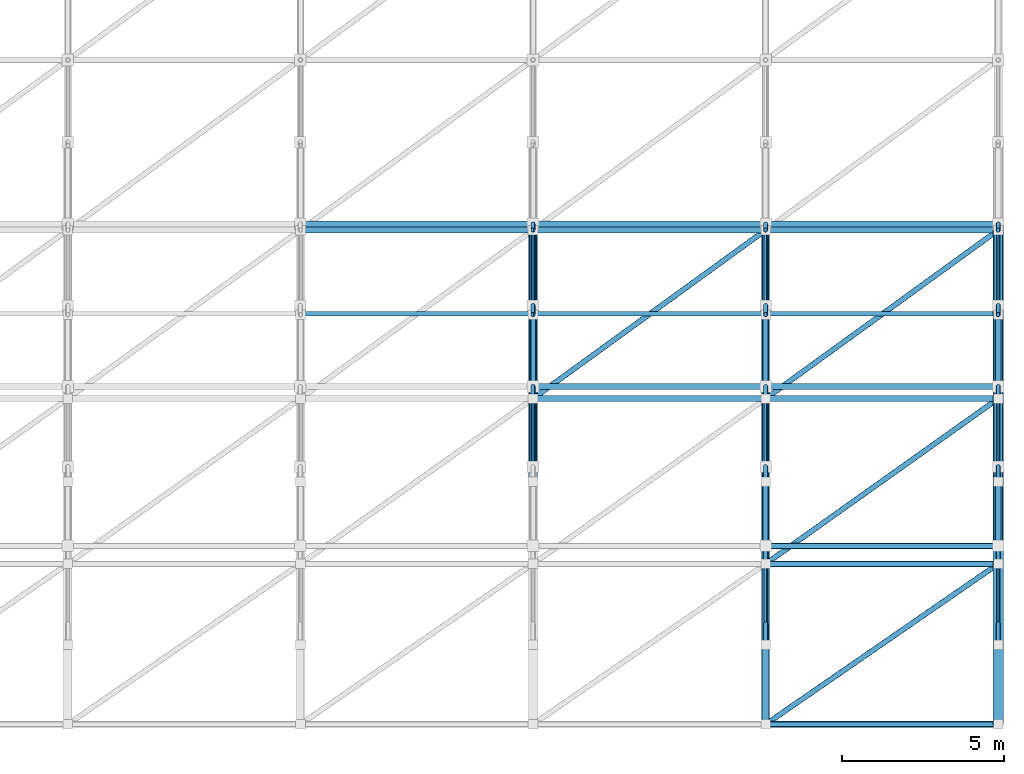
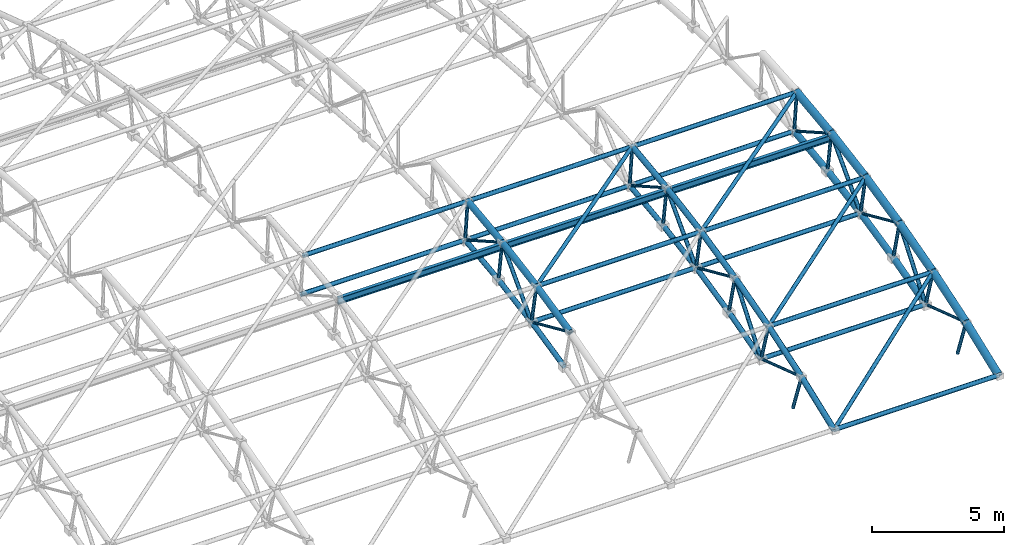
# One storey, part 18 of 41: 74 members.
"""IFC4 building model written with IfcOpenShell, lengths in metres."""

from ifc_helpers import new_model, si_unit, direction, frame, origin, origin_2d, place, context, subcontext, project, spatial, hollow_circle, i_section, extrude, material, material_profile, profile_set, type_object, element, save


model = new_model("IFC4")

# Units and contexts
model_context = context("Model", 3, precision=1e-05, world=origin(), true_north=direction((0.0, 1.0)))
body_context = subcontext(model_context, "Body", "Model", "MODEL_VIEW")
ifc_project = project(units=[si_unit("LENGTHUNIT", "METRE"), si_unit("AREAUNIT", "SQUARE_METRE"), si_unit("VOLUMEUNIT", "CUBIC_METRE"), si_unit("PLANEANGLEUNIT", "RADIAN"), si_unit("MASSUNIT", "GRAM", prefix="KILO")], contexts=[model_context])

# Site, building, storey
site_placement = place(None, origin())
site = spatial("IfcSite", under=ifc_project, at=site_placement, CompositionType="ELEMENT")
building_placement = place(site_placement, origin())
building = spatial("IfcBuilding", under=site, at=building_placement, Name="Malvenik Polytechnic", CompositionType="ELEMENT")
storey_placement = place(building_placement, frame((0.0, 0.0, 17.699951171875)))
storey = spatial("IfcBuildingStorey", under=building, at=storey_placement, Name="L04", CompositionType="ELEMENT", Elevation=17.699951171875)

# Members
ifc_material_1 = material(Name="Steel S355J2H", Category="steel")
ifc_material_profile_1 = material_profile(ifc_material_1, hollow_circle(Radius=0.136474609375, WallThickness=0.010009765625, at=origin_2d()), Name="CHS 273.0x10.0")
ifc_profile_set_1 = profile_set([ifc_material_profile_1], Name="Steel S355J2H")
member_type_1 = type_object("IfcMemberType", Name="STR-MEM-SFB-01", PredefinedType="CHORD", material=ifc_profile_set_1)
for number, where, z_axis, x_axis, name in (
    (1, (184.800048828125, 49.7607421875, 0.181396484375), (0.0, 0.96402666338, 0.265805553539), (-1.0, 0.0, 0.0), "Space-Frame Tube SFB-01 STR-SF-BC-0692"),
    (2, (184.800048828125, 52.21240234375, 0.857177734375), (0.0, 0.975880203116, 0.21830673184), (-1.0, 0.0, 0.0), "Space-Frame Tube SFB-01 STR-SF-BC-0694"),
):
    element("IfcMember", number, at=place(storey_placement, frame(where, z_axis=z_axis, x_axis=x_axis)), inside=storey, type_object=member_type_1, Name=name, PredefinedType="CHORD", context=body_context, shape_type="SweptSolid", body=[
        extrude(hollow_circle(Radius=0.136474609375, WallThickness=0.010009765625, at=origin_2d()), origin(), (0.0, 0.0, 1.0), 2.53515625),
    ])
member_1_placement = place(storey_placement, frame((184.800048828125, 54.6943359375, 1.412353515625), z_axis=(0.0, 0.985387199481, 0.170329290198), x_axis=(-1.0, 0.0, 0.0)))
element("IfcMember", 3, at=member_1_placement, inside=storey, type_object=member_type_1, Name="Space-Frame Tube SFB-01 STR-SF-BC-0696", PredefinedType="CHORD", context=body_context, shape_type="SweptSolid", body=[
    extrude(hollow_circle(Radius=0.136474609375, WallThickness=0.010009765625, at=origin_2d()), origin(), (0.0, 0.0, 1.0), 2.53564453125),
])
member_2_placement = place(storey_placement, frame((184.800048828125, 57.20068359375, 1.845458984375), z_axis=(0.0, 0.992529141181, 0.122007802646), x_axis=(-1.0, 0.0, 0.0)))
element("IfcMember", 4, at=member_2_placement, inside=storey, type_object=member_type_1, Name="Space-Frame Tube SFB-01 STR-SF-BC-0698", PredefinedType="CHORD", context=body_context, shape_type="SweptSolid", body=[
    extrude(hollow_circle(Radius=0.136474609375, WallThickness=0.010009765625, at=origin_2d()), origin(), (0.0, 0.0, 1.0), 2.535400390625),
])
ifc_material_profile_2 = material_profile(ifc_material_1, hollow_circle(Radius=0.109619140625, WallThickness=0.010009765625, at=origin_2d()), Name="CHS 219.1x10.0")
ifc_profile_set_2 = profile_set([ifc_material_profile_2], Name="Steel S355J2H")
member_type_2 = type_object("IfcMemberType", Name="STR-MEM-SFB-02", PredefinedType="CHORD", material=ifc_profile_set_2)
member_3_placement = place(storey_placement, frame((170.39990234375, 52.21240234375, 0.857177734375), z_axis=(0.0, 0.975880203116, 0.21830673184), x_axis=(-1.0, 0.0, 0.0)))
element("IfcMember", 5, at=member_3_placement, inside=storey, type_object=member_type_2, Name="Space-Frame Tube SFB-02 STR-SF-BC-0500", PredefinedType="CHORD", context=body_context, shape_type="SweptSolid", body=[
    extrude(hollow_circle(Radius=0.109619140625, WallThickness=0.010009765625, at=origin_2d()), origin(), (0.0, 0.0, 1.0), 2.53515625),
])
member_4_placement = place(storey_placement, frame((170.39990234375, 54.6943359375, 1.412353515625), z_axis=(0.0, 0.985387199481, 0.170329290198), x_axis=(-1.0, 0.0, 0.0)))
element("IfcMember", 6, at=member_4_placement, inside=storey, type_object=member_type_2, Name="Space-Frame Tube SFB-02 STR-SF-BC-0502", PredefinedType="CHORD", context=body_context, shape_type="SweptSolid", body=[
    extrude(hollow_circle(Radius=0.109619140625, WallThickness=0.010009765625, at=origin_2d()), origin(), (0.0, 0.0, 1.0), 2.53564453125),
])
member_5_placement = place(storey_placement, frame((170.39990234375, 57.20068359375, 1.845458984375), z_axis=(0.0, 0.992529141181, 0.122007802646), x_axis=(-1.0, 0.0, 0.0)))
element("IfcMember", 7, at=member_5_placement, inside=storey, type_object=member_type_2, Name="Space-Frame Tube SFB-02 STR-SF-BC-0504", PredefinedType="CHORD", context=body_context, shape_type="SweptSolid", body=[
    extrude(hollow_circle(Radius=0.109619140625, WallThickness=0.010009765625, at=origin_2d()), origin(), (0.0, 0.0, 1.0), 2.535400390625),
])
ifc_material_profile_3 = material_profile(ifc_material_1, hollow_circle(Radius=0.109619140625, WallThickness=0.008056640625, at=origin_2d()), Name="CHS 219.1x8.0")
ifc_profile_set_3 = profile_set([ifc_material_profile_3], Name="Steel S355J2H")
member_type_3 = type_object("IfcMemberType", Name="STR-MEM-SFB-03", PredefinedType="CHORD", material=ifc_profile_set_3)
for number, where, z_axis, x_axis, name in (
    (8, (177.60009765625, 49.7607421875, 0.181396484375), (0.0, 0.96402666338, 0.265805553539), (-1.0, 0.0, 0.0), "Space-Frame Tube SFB-03 STR-SF-BC-0595"),
    (9, (177.60009765625, 52.21240234375, 0.857177734375), (0.0, 0.975880203116, 0.21830673184), (-1.0, 0.0, 0.0), "Space-Frame Tube SFB-03 STR-SF-BC-0597"),
):
    element("IfcMember", number, at=place(storey_placement, frame(where, z_axis=z_axis, x_axis=x_axis)), inside=storey, type_object=member_type_3, Name=name, PredefinedType="CHORD", context=body_context, shape_type="SweptSolid", body=[
        extrude(hollow_circle(Radius=0.109619140625, WallThickness=0.008056640625, at=origin_2d()), origin(), (0.0, 0.0, 1.0), 2.53515625),
    ])
member_6_placement = place(storey_placement, frame((177.60009765625, 54.6943359375, 1.412353515625), z_axis=(0.0, 0.985387199481, 0.170329290198), x_axis=(-1.0, 0.0, 0.0)))
element("IfcMember", 10, at=member_6_placement, inside=storey, type_object=member_type_3, Name="Space-Frame Tube SFB-03 STR-SF-BC-0599", PredefinedType="CHORD", context=body_context, shape_type="SweptSolid", body=[
    extrude(hollow_circle(Radius=0.109619140625, WallThickness=0.008056640625, at=origin_2d()), origin(), (0.0, 0.0, 1.0), 2.53564453125),
])
member_7_placement = place(storey_placement, frame((177.60009765625, 57.20068359375, 1.845458984375), z_axis=(0.0, 0.992529141181, 0.122007802646), x_axis=(-1.0, 0.0, 0.0)))
element("IfcMember", 11, at=member_7_placement, inside=storey, type_object=member_type_3, Name="Space-Frame Tube SFB-03 STR-SF-BC-0601", PredefinedType="CHORD", context=body_context, shape_type="SweptSolid", body=[
    extrude(hollow_circle(Radius=0.109619140625, WallThickness=0.008056640625, at=origin_2d()), origin(), (0.0, 0.0, 1.0), 2.535400390625),
])
ifc_material_profile_4 = material_profile(ifc_material_1, hollow_circle(Radius=0.084228515625, WallThickness=0.00634765625, at=origin_2d()), Name="CHS 168.3x6.3")
ifc_profile_set_4 = profile_set([ifc_material_profile_4], Name="Steel S355J2H")
member_type_4 = type_object("IfcMemberType", Name="STR-MEM-SFD-02", PredefinedType="BRACE", material=ifc_profile_set_4)
for number, where, z_axis, x_axis, name in (
    (12, (170.39990234375, 54.693359375, 1.41455078125), (0.0, 0.689369138423, 0.724410236668), (-1.0, 0.0, 0.0), "Space-Frame Tube SFD-02 STR-SF-AD-0567"),
    (13, (177.60009765625, 49.75927734375, 0.18359375), (0.0, 0.615336380621, 0.788264637469), (-1.0, 0.0, 0.0), "Space-Frame Tube SFD-02 STR-SF-AD-0662"),
    (14, (177.60009765625, 54.693359375, 1.41455078125), (0.0, 0.689369138423, 0.724410236668), (-1.0, 0.0, 0.0), "Space-Frame Tube SFD-02 STR-SF-AD-0664"),
    (15, (184.800048828125, 49.75927734375, 0.18359375), (0.0, 0.615336380621, 0.788264637469), (-1.0, 0.0, 0.0), "Space-Frame Tube SFD-02 STR-SF-AD-0759"),
    (16, (184.800048828125, 54.693359375, 1.41455078125), (0.0, 0.689369138423, 0.724410236668), (-1.0, 0.0, 0.0), "Space-Frame Tube SFD-02 STR-SF-AD-0761"),
):
    element("IfcMember", number, at=place(storey_placement, frame(where, z_axis=z_axis, x_axis=x_axis)), inside=storey, type_object=member_type_4, Name=name, PredefinedType="BRACE", context=body_context, shape_type="SweptSolid", body=[
        extrude(hollow_circle(Radius=0.084228515625, WallThickness=0.00634765625, at=origin_2d()), origin(), (0.0, 0.0, 1.0), 3.218994140625),
    ])
member_8_placement = place(storey_placement, frame((170.4033203125, 54.318603515625, 3.30029296875), z_axis=(0.806743307395, 0.584549377871, 0.086413313811), x_axis=(-0.586744168683, 0.809772363394, 0.0)))
element("IfcMember", 17, at=member_8_placement, inside=storey, type_object=member_type_4, Name="Space-Frame Tube SFD-02 STR-SF-SD-1017", PredefinedType="BRACE", context=body_context, shape_type="SweptSolid", body=[
    extrude(hollow_circle(Radius=0.084228515625, WallThickness=0.00634765625, at=origin_2d()), origin(), (0.0, 0.0, 1.0), 8.91650390625),
])
member_9_placement = place(storey_placement, frame((177.603271484375, 44.23486328125, 0.25341796875), z_axis=(0.806759679952, 0.556586145395, 0.19837006215), x_axis=(-0.567871341818, 0.823117330119, 0.0)))
element("IfcMember", 18, at=member_9_placement, inside=storey, type_object=member_type_4, Name="Space-Frame Tube SFD-02 STR-SF-SD-1057", PredefinedType="BRACE", context=body_context, shape_type="SweptSolid", body=[
    extrude(hollow_circle(Radius=0.084228515625, WallThickness=0.00634765625, at=origin_2d()), origin(), (0.0, 0.0, 1.0), 8.916748046875),
])
member_10_placement = place(storey_placement, frame((177.603271484375, 49.2021484375, 2.023681640625), z_axis=(0.806764863232, 0.573291793869, 0.143062834223), x_axis=(-0.57925018849, 0.81514981392, 0.0)))
element("IfcMember", 19, at=member_10_placement, inside=storey, type_object=member_type_4, Name="Space-Frame Tube SFD-02 STR-SF-SD-1058", PredefinedType="BRACE", context=body_context, shape_type="SweptSolid", body=[
    extrude(hollow_circle(Radius=0.084228515625, WallThickness=0.00634765625, at=origin_2d()), origin(), (0.0, 0.0, 1.0), 8.91650390625),
])
member_11_placement = place(storey_placement, frame((177.603271484375, 54.318603515625, 3.30029296875), z_axis=(0.806752867448, 0.58453646588, 0.086411405045), x_axis=(-0.586731110708, 0.80978182477, 0.0)))
element("IfcMember", 20, at=member_11_placement, inside=storey, type_object=member_type_4, Name="Space-Frame Tube SFD-02 STR-SF-SD-1059", PredefinedType="BRACE", context=body_context, shape_type="SweptSolid", body=[
    extrude(hollow_circle(Radius=0.084228515625, WallThickness=0.00634765625, at=origin_2d()), origin(), (0.0, 0.0, 1.0), 8.916748046875),
])
ifc_material_profile_5 = material_profile(ifc_material_1, hollow_circle(Radius=0.06982421875, WallThickness=0.00634765625, at=origin_2d()), Name="CHS 139.7x6.3")
ifc_profile_set_5 = profile_set([ifc_material_profile_5], Name="Steel S355J2H")
member_type_5 = type_object("IfcMemberType", Name="STR-MEM-SFD-03", PredefinedType="BRACE", material=ifc_profile_set_5)
member_12_placement = place(storey_placement, frame((170.39990234375, 54.689697265625, 1.41552734375), z_axis=(0.0, -0.194328084871, 0.980936590933), x_axis=(1.0, 0.0, 0.0)))
element("IfcMember", 21, at=member_12_placement, inside=storey, type_object=member_type_5, Name="Space-Frame Tube SFD-03 STR-SF-WB-0542", PredefinedType="BRACE", context=body_context, shape_type="SweptSolid", body=[
    extrude(hollow_circle(Radius=0.06982421875, WallThickness=0.00634765625, at=origin_2d()), origin(), (0.0, 0.0, 1.0), 1.917236328125),
])
member_13_placement = place(storey_placement, frame((170.39990234375, 57.196044921875, 1.848876953125), z_axis=(0.0, -0.146197883622, 0.989255365831), x_axis=(1.0, 0.0, 0.0)))
element("IfcMember", 22, at=member_13_placement, inside=storey, type_object=member_type_5, Name="Space-Frame Tube SFD-03 STR-SF-WB-0543", PredefinedType="BRACE", context=body_context, shape_type="SweptSolid", body=[
    extrude(hollow_circle(Radius=0.06982421875, WallThickness=0.00634765625, at=origin_2d()), origin(), (0.0, 0.0, 1.0), 1.9169921875),
])
member_14_placement = place(storey_placement, frame((170.39990234375, 59.720703125, 2.1591796875), z_axis=(0.0, -0.09767529924, 0.995218335803), x_axis=(1.0, 0.0, 0.0)))
element("IfcMember", 23, at=member_14_placement, inside=storey, type_object=member_type_5, Name="Space-Frame Tube SFD-03 STR-SF-WB-0544", PredefinedType="BRACE", context=body_context, shape_type="SweptSolid", body=[
    extrude(hollow_circle(Radius=0.06982421875, WallThickness=0.00634765625, at=origin_2d()), origin(), (0.0, 0.0, 1.0), 1.917236328125),
])
member_15_placement = place(storey_placement, frame((177.60009765625, 47.339599609375, -0.61083984375), z_axis=(0.0, -0.335836148318, 0.941920422054), x_axis=(1.0, 0.0, 0.0)))
element("IfcMember", 24, at=member_15_placement, inside=storey, type_object=member_type_5, Name="Space-Frame Tube SFD-03 STR-SF-WB-0636", PredefinedType="BRACE", context=body_context, shape_type="SweptSolid", body=[
    extrude(hollow_circle(Radius=0.06982421875, WallThickness=0.00634765625, at=origin_2d()), origin(), (0.0, 0.0, 1.0), 1.9169921875),
])
member_16_placement = place(storey_placement, frame((177.60009765625, 49.755615234375, 0.18408203125), z_axis=(0.0, -0.289204975311, 0.957267194808), x_axis=(1.0, 0.0, 0.0)))
element("IfcMember", 25, at=member_16_placement, inside=storey, type_object=member_type_5, Name="Space-Frame Tube SFD-03 STR-SF-WB-0637", PredefinedType="BRACE", context=body_context, shape_type="SweptSolid", body=[
    extrude(hollow_circle(Radius=0.06982421875, WallThickness=0.00634765625, at=origin_2d()), origin(), (0.0, 0.0, 1.0), 1.917236328125),
])
member_17_placement = place(storey_placement, frame((177.60009765625, 52.20751953125, 0.8603515625), z_axis=(0.0, -0.242116055397, 0.970247296167), x_axis=(1.0, 0.0, 0.0)))
element("IfcMember", 26, at=member_17_placement, inside=storey, type_object=member_type_5, Name="Space-Frame Tube SFD-03 STR-SF-WB-0638", PredefinedType="BRACE", context=body_context, shape_type="SweptSolid", body=[
    extrude(hollow_circle(Radius=0.06982421875, WallThickness=0.00634765625, at=origin_2d()), origin(), (0.0, 0.0, 1.0), 1.9169921875),
])
member_18_placement = place(storey_placement, frame((177.60009765625, 54.689697265625, 1.41552734375), z_axis=(0.0, -0.194328084871, 0.980936590933), x_axis=(1.0, 0.0, 0.0)))
element("IfcMember", 27, at=member_18_placement, inside=storey, type_object=member_type_5, Name="Space-Frame Tube SFD-03 STR-SF-WB-0639", PredefinedType="BRACE", context=body_context, shape_type="SweptSolid", body=[
    extrude(hollow_circle(Radius=0.06982421875, WallThickness=0.00634765625, at=origin_2d()), origin(), (0.0, 0.0, 1.0), 1.917236328125),
])
member_19_placement = place(storey_placement, frame((177.60009765625, 57.196044921875, 1.848876953125), z_axis=(0.0, -0.146197883622, 0.989255365831), x_axis=(1.0, 0.0, 0.0)))
element("IfcMember", 28, at=member_19_placement, inside=storey, type_object=member_type_5, Name="Space-Frame Tube SFD-03 STR-SF-WB-0640", PredefinedType="BRACE", context=body_context, shape_type="SweptSolid", body=[
    extrude(hollow_circle(Radius=0.06982421875, WallThickness=0.00634765625, at=origin_2d()), origin(), (0.0, 0.0, 1.0), 1.9169921875),
])
member_20_placement = place(storey_placement, frame((177.60009765625, 59.720703125, 2.1591796875), z_axis=(0.0, -0.09767529924, 0.995218335803), x_axis=(1.0, 0.0, 0.0)))
element("IfcMember", 29, at=member_20_placement, inside=storey, type_object=member_type_5, Name="Space-Frame Tube SFD-03 STR-SF-WB-0641", PredefinedType="BRACE", context=body_context, shape_type="SweptSolid", body=[
    extrude(hollow_circle(Radius=0.06982421875, WallThickness=0.00634765625, at=origin_2d()), origin(), (0.0, 0.0, 1.0), 1.917236328125),
])
member_21_placement = place(storey_placement, frame((184.800048828125, 47.339599609375, -0.61083984375), z_axis=(0.0, -0.335836148318, 0.941920422054), x_axis=(1.0, 0.0, 0.0)))
element("IfcMember", 30, at=member_21_placement, inside=storey, type_object=member_type_5, Name="Space-Frame Tube SFD-03 STR-SF-WB-0733", PredefinedType="BRACE", context=body_context, shape_type="SweptSolid", body=[
    extrude(hollow_circle(Radius=0.06982421875, WallThickness=0.00634765625, at=origin_2d()), origin(), (0.0, 0.0, 1.0), 1.9169921875),
])
member_22_placement = place(storey_placement, frame((184.800048828125, 49.755615234375, 0.18408203125), z_axis=(0.0, -0.289204975311, 0.957267194808), x_axis=(1.0, 0.0, 0.0)))
element("IfcMember", 31, at=member_22_placement, inside=storey, type_object=member_type_5, Name="Space-Frame Tube SFD-03 STR-SF-WB-0734", PredefinedType="BRACE", context=body_context, shape_type="SweptSolid", body=[
    extrude(hollow_circle(Radius=0.06982421875, WallThickness=0.00634765625, at=origin_2d()), origin(), (0.0, 0.0, 1.0), 1.917236328125),
])
member_23_placement = place(storey_placement, frame((184.800048828125, 52.20751953125, 0.8603515625), z_axis=(0.0, -0.242116055397, 0.970247296167), x_axis=(1.0, 0.0, 0.0)))
element("IfcMember", 32, at=member_23_placement, inside=storey, type_object=member_type_5, Name="Space-Frame Tube SFD-03 STR-SF-WB-0735", PredefinedType="BRACE", context=body_context, shape_type="SweptSolid", body=[
    extrude(hollow_circle(Radius=0.06982421875, WallThickness=0.00634765625, at=origin_2d()), origin(), (0.0, 0.0, 1.0), 1.9169921875),
])
member_24_placement = place(storey_placement, frame((184.800048828125, 54.689697265625, 1.41552734375), z_axis=(0.0, -0.194328084871, 0.980936590933), x_axis=(1.0, 0.0, 0.0)))
element("IfcMember", 33, at=member_24_placement, inside=storey, type_object=member_type_5, Name="Space-Frame Tube SFD-03 STR-SF-WB-0736", PredefinedType="BRACE", context=body_context, shape_type="SweptSolid", body=[
    extrude(hollow_circle(Radius=0.06982421875, WallThickness=0.00634765625, at=origin_2d()), origin(), (0.0, 0.0, 1.0), 1.917236328125),
])
member_25_placement = place(storey_placement, frame((184.800048828125, 57.196044921875, 1.848876953125), z_axis=(0.0, -0.146197883622, 0.989255365831), x_axis=(1.0, 0.0, 0.0)))
element("IfcMember", 34, at=member_25_placement, inside=storey, type_object=member_type_5, Name="Space-Frame Tube SFD-03 STR-SF-WB-0737", PredefinedType="BRACE", context=body_context, shape_type="SweptSolid", body=[
    extrude(hollow_circle(Radius=0.06982421875, WallThickness=0.00634765625, at=origin_2d()), origin(), (0.0, 0.0, 1.0), 1.9169921875),
])
member_26_placement = place(storey_placement, frame((184.800048828125, 59.720703125, 2.1591796875), z_axis=(0.0, -0.09767529924, 0.995218335803), x_axis=(1.0, 0.0, 0.0)))
element("IfcMember", 35, at=member_26_placement, inside=storey, type_object=member_type_5, Name="Space-Frame Tube SFD-03 STR-SF-WB-0738", PredefinedType="BRACE", context=body_context, shape_type="SweptSolid", body=[
    extrude(hollow_circle(Radius=0.06982421875, WallThickness=0.00634765625, at=origin_2d()), origin(), (0.0, 0.0, 1.0), 1.917236328125),
])
ifc_material_profile_6 = material_profile(ifc_material_1, hollow_circle(Radius=0.05712890625, WallThickness=0.0048828125, at=origin_2d()), Name="CHS 114.3x5.0")
ifc_profile_set_6 = profile_set([ifc_material_profile_6], Name="Steel S355J2H")
member_type_6 = type_object("IfcMemberType", Name="STR-MEM-SFD-04", PredefinedType="BRACE", material=ifc_profile_set_6)
for number, where, z_axis, x_axis, name in (
    (36, (170.39990234375, 51.74609375, 2.722412109375), (0.0, 0.913567424865, -0.406687300301), (-1.0, 0.0, 0.0), "Space-Frame Tube SFD-04 STR-SF-AD-0566"),
    (37, (170.39990234375, 56.918701171875, 3.747314453125), (0.0, 0.869477287163, -0.493972921432), (-1.0, 0.0, 0.0), "Space-Frame Tube SFD-04 STR-SF-AD-0568"),
):
    element("IfcMember", number, at=place(storey_placement, frame(where, z_axis=z_axis, x_axis=x_axis)), inside=storey, type_object=member_type_6, Name=name, PredefinedType="BRACE", context=body_context, shape_type="SweptSolid", body=[
        extrude(hollow_circle(Radius=0.05712890625, WallThickness=0.0048828125, at=origin_2d()), origin(), (0.0, 0.0, 1.0), 3.218994140625),
    ])
member_27_placement = place(storey_placement, frame((177.60009765625, 46.698486328125, 1.197265625), z_axis=(0.0, 0.948918160611, -0.315522304224), x_axis=(-1.0, 0.0, 0.0)))
element("IfcMember", 38, at=member_27_placement, inside=storey, type_object=member_type_6, Name="Space-Frame Tube SFD-04 STR-SF-AD-0661", PredefinedType="BRACE", context=body_context, shape_type="SweptSolid", body=[
    extrude(hollow_circle(Radius=0.05712890625, WallThickness=0.0048828125, at=origin_2d()), origin(), (0.0, 0.0, 1.0), 3.21875),
])
for number, where, z_axis, x_axis, name in (
    (39, (177.60009765625, 51.74609375, 2.722412109375), (0.0, 0.913567424865, -0.406687300301), (-1.0, 0.0, 0.0), "Space-Frame Tube SFD-04 STR-SF-AD-0663"),
    (40, (177.60009765625, 56.918701171875, 3.747314453125), (0.0, 0.869477287163, -0.493972921432), (-1.0, 0.0, 0.0), "Space-Frame Tube SFD-04 STR-SF-AD-0665"),
):
    element("IfcMember", number, at=place(storey_placement, frame(where, z_axis=z_axis, x_axis=x_axis)), inside=storey, type_object=member_type_6, Name=name, PredefinedType="BRACE", context=body_context, shape_type="SweptSolid", body=[
        extrude(hollow_circle(Radius=0.05712890625, WallThickness=0.0048828125, at=origin_2d()), origin(), (0.0, 0.0, 1.0), 3.218994140625),
    ])
member_28_placement = place(storey_placement, frame((184.800048828125, 46.698486328125, 1.197265625), z_axis=(0.0, 0.948918160611, -0.315522304224), x_axis=(-1.0, 0.0, 0.0)))
element("IfcMember", 41, at=member_28_placement, inside=storey, type_object=member_type_6, Name="Space-Frame Tube SFD-04 STR-SF-AD-0758", PredefinedType="BRACE", context=body_context, shape_type="SweptSolid", body=[
    extrude(hollow_circle(Radius=0.05712890625, WallThickness=0.0048828125, at=origin_2d()), origin(), (0.0, 0.0, 1.0), 3.21875),
])
for number, where, z_axis, x_axis, name in (
    (42, (184.800048828125, 51.74609375, 2.722412109375), (0.0, 0.913567424865, -0.406687300301), (-1.0, 0.0, 0.0), "Space-Frame Tube SFD-04 STR-SF-AD-0760"),
    (43, (184.800048828125, 56.918701171875, 3.747314453125), (0.0, 0.869477287163, -0.493972921432), (-1.0, 0.0, 0.0), "Space-Frame Tube SFD-04 STR-SF-AD-0762"),
):
    element("IfcMember", number, at=place(storey_placement, frame(where, z_axis=z_axis, x_axis=x_axis)), inside=storey, type_object=member_type_6, Name=name, PredefinedType="BRACE", context=body_context, shape_type="SweptSolid", body=[
        extrude(hollow_circle(Radius=0.05712890625, WallThickness=0.0048828125, at=origin_2d()), origin(), (0.0, 0.0, 1.0), 3.218994140625),
    ])
ifc_material_profile_7 = material_profile(ifc_material_1, hollow_circle(Radius=0.096923828125, WallThickness=0.008056640625, at=origin_2d()), Name="CHS 193.7x8.0")
ifc_profile_set_7 = profile_set([ifc_material_profile_7], Name="Steel S355J2H")
member_type_7 = type_object("IfcMemberType", Name="STR-MEM-SFL-01", PredefinedType="CHORD", material=ifc_profile_set_7)
for number, where, z_axis, x_axis, name in (
    (44, (163.2041015625, 59.720947265625, 2.1552734375), (1.0, 0.0, 0.0), (0.0, 1.0, 0.0), "Space-Frame Tube SFL-01 STR-SF-LB-0955"),
    (45, (163.2041015625, 59.532958984375, 4.071044921875), (1.0, 0.0, 0.0), (0.0, 1.0, 0.0), "Space-Frame Tube SFL-01 STR-SF-LT-0956"),
    (46, (170.404052734375, 54.6904296875, 1.41162109375), (1.0, 0.0, 0.0), (0.0, 1.0, 0.0), "Space-Frame Tube SFL-01 STR-SF-LB-0995"),
    (47, (170.404052734375, 54.31640625, 3.300048828125), (1.0, 0.0, 0.0), (0.0, 1.0, 0.0), "Space-Frame Tube SFL-01 STR-SF-LT-0996"),
    (48, (170.404052734375, 59.720947265625, 2.1552734375), (1.0, 0.0, 0.0), (0.0, 1.0, 0.0), "Space-Frame Tube SFL-01 STR-SF-LB-0997"),
    (49, (170.404052734375, 59.532958984375, 4.071044921875), (1.0, 0.0, 0.0), (0.0, 1.0, 0.0), "Space-Frame Tube SFL-01 STR-SF-LT-0998"),
    (50, (177.60400390625, 44.232666015625, 0.25244140625), (1.0, 0.0, 0.0), (0.0, 1.0, 0.0), "Space-Frame Tube SFL-01 STR-SF-LT-1034"),
    (51, (177.60400390625, 49.7568359375, 0.180419921875), (1.0, 0.0, 0.0), (0.0, 1.0, 0.0), "Space-Frame Tube SFL-01 STR-SF-LB-1035"),
    (52, (177.60400390625, 49.199951171875, 2.02294921875), (1.0, 0.0, 0.0), (0.0, 1.0, 0.0), "Space-Frame Tube SFL-01 STR-SF-LT-1036"),
    (53, (177.60400390625, 54.6904296875, 1.41162109375), (1.0, 0.0, 0.0), (0.0, 1.0, 0.0), "Space-Frame Tube SFL-01 STR-SF-LB-1037"),
    (54, (177.60400390625, 54.31640625, 3.300048828125), (1.0, 0.0, 0.0), (0.0, 1.0, 0.0), "Space-Frame Tube SFL-01 STR-SF-LT-1038"),
    (55, (177.60400390625, 59.720947265625, 2.1552734375), (1.0, 0.0, 0.0), (0.0, 1.0, 0.0), "Space-Frame Tube SFL-01 STR-SF-LB-1039"),
    (56, (177.60400390625, 59.532958984375, 4.071044921875), (1.0, 0.0, 0.0), (0.0, 1.0, 0.0), "Space-Frame Tube SFL-01 STR-SF-LT-1040"),
):
    element("IfcMember", number, at=place(storey_placement, frame(where, z_axis=z_axis, x_axis=x_axis)), inside=storey, type_object=member_type_7, Name=name, PredefinedType="CHORD", context=body_context, shape_type="SweptSolid", body=[
        extrude(hollow_circle(Radius=0.096923828125, WallThickness=0.008056640625, at=origin_2d()), origin(), (0.0, 0.0, 1.0), 7.19189453125),
    ])
ifc_material_2 = material(Name="Steel S355", Category="steel")
ifc_material_profile_8 = material_profile(ifc_material_2, i_section(OverallWidth=0.14990234375, OverallDepth=0.300048828125, WebThickness=0.007080078125, FlangeThickness=0.0107421875, FilletRadius=0.014892578125, at=origin_2d()), Name="IPE 300")
ifc_profile_set_8 = profile_set([ifc_material_profile_8], Name="Steel S355")
member_type_8 = type_object("IfcMemberType", Name="STR-MEM-SFP-02", PredefinedType="PURLIN", material=ifc_profile_set_8)
member_29_placement = place(storey_placement, frame((163.219970703125, 56.9453125, 3.54638671875), z_axis=(1.0, 0.0, 0.0), x_axis=(0.0, 1.0, 0.0)))
element("IfcMember", 57, at=member_29_placement, inside=storey, type_object=member_type_8, Name="Vault Roof Purlin SFP-02 #984", PredefinedType="PURLIN", context=body_context, shape_type="SweptSolid", body=[
    extrude(i_section(OverallWidth=0.14990234375, OverallDepth=0.300048828125, WebThickness=0.007080078125, FlangeThickness=0.0107421875, FilletRadius=0.014892578125, at=origin_2d()), origin(), (0.0, 0.0, 1.0), 7.159912109375),
])
member_30_placement = place(storey_placement, frame((170.419921875, 56.9453125, 3.54638671875), z_axis=(1.0, 0.0, 0.0), x_axis=(0.0, 1.0, 0.0)))
element("IfcMember", 58, at=member_30_placement, inside=storey, type_object=member_type_8, Name="Vault Roof Purlin SFP-02 #1026", PredefinedType="PURLIN", context=body_context, shape_type="SweptSolid", body=[
    extrude(i_section(OverallWidth=0.14990234375, OverallDepth=0.300048828125, WebThickness=0.007080078125, FlangeThickness=0.0107421875, FilletRadius=0.014892578125, at=origin_2d()), origin(), (0.0, 0.0, 1.0), 7.16015625),
])
member_31_placement = place(storey_placement, frame((177.6201171875, 56.9453125, 3.54638671875), z_axis=(1.0, 0.0, 0.0), x_axis=(0.0, 1.0, 0.0)))
element("IfcMember", 59, at=member_31_placement, inside=storey, type_object=member_type_8, Name="Vault Roof Purlin SFP-02 #1068", PredefinedType="PURLIN", context=body_context, shape_type="SweptSolid", body=[
    extrude(i_section(OverallWidth=0.14990234375, OverallDepth=0.300048828125, WebThickness=0.007080078125, FlangeThickness=0.0107421875, FilletRadius=0.014892578125, at=origin_2d()), origin(), (0.0, 0.0, 1.0), 7.159912109375),
])
ifc_material_profile_9 = material_profile(ifc_material_1, hollow_circle(Radius=0.136474609375, WallThickness=0.012451171875, at=origin_2d()), Name="CHS 273.0x12.5")
ifc_profile_set_9 = profile_set([ifc_material_profile_9], Name="Steel S355J2H")
member_type_9 = type_object("IfcMemberType", Name="STR-MEM-SFT-02", PredefinedType="CHORD", material=ifc_profile_set_9)
member_32_placement = place(storey_placement, frame((170.39990234375, 51.746337890625, 2.724853515625), z_axis=(0.0, 0.975867063963, 0.218365458514), x_axis=(-1.0, 0.0, 0.0)))
element("IfcMember", 60, at=member_32_placement, inside=storey, type_object=member_type_9, Name="Space-Frame Tube SFT-02 STR-SF-TC-0501", PredefinedType="CHORD", context=body_context, shape_type="SweptSolid", body=[
    extrude(hollow_circle(Radius=0.136474609375, WallThickness=0.012451171875, at=origin_2d()), origin(), (0.0, 0.0, 1.0), 2.629638671875),
])
for number, where, z_axis, x_axis, name in (
    (61, (170.39990234375, 54.3203125, 3.300537109375), (0.0, 0.985379595625, 0.170373274095), (-1.0, 0.0, 0.0), "Space-Frame Tube SFT-02 STR-SF-TC-0503"),
    (62, (170.39990234375, 56.919189453125, 3.749755859375), (0.0, 0.99253004874, 0.122000419462), (-1.0, 0.0, 0.0), "Space-Frame Tube SFT-02 STR-SF-TC-0505"),
):
    element("IfcMember", number, at=place(storey_placement, frame(where, z_axis=z_axis, x_axis=x_axis)), inside=storey, type_object=member_type_9, Name=name, PredefinedType="CHORD", context=body_context, shape_type="SweptSolid", body=[
        extrude(hollow_circle(Radius=0.136474609375, WallThickness=0.012451171875, at=origin_2d()), origin(), (0.0, 0.0, 1.0), 2.62939453125),
    ])
ifc_material_profile_10 = material_profile(ifc_material_1, hollow_circle(Radius=0.122314453125, WallThickness=0.010009765625, at=origin_2d()), Name="CHS 244.5x10.0")
ifc_profile_set_10 = profile_set([ifc_material_profile_10], Name="Steel S355J2H")
member_type_10 = type_object("IfcMemberType", Name="STR-MEM-SFT-03", PredefinedType="CHORD", material=ifc_profile_set_10)
member_33_placement = place(storey_placement, frame((177.60009765625, 44.236328125, 0.25390625), z_axis=(0.0, 0.93343650429, 0.358742654921), x_axis=(-1.0, 0.0, 0.0)))
element("IfcMember", 63, at=member_33_placement, inside=storey, type_object=member_type_10, Name="Space-Frame Tube SFT-03 STR-SF-TC-0592", PredefinedType="CHORD", context=body_context, shape_type="SweptSolid", body=[
    extrude(hollow_circle(Radius=0.122314453125, WallThickness=0.010009765625, at=origin_2d()), origin(), (0.0, 0.0, 1.0), 2.629638671875),
])
member_34_placement = place(storey_placement, frame((177.60009765625, 46.698486328125, 1.199951171875), z_axis=(0.0, 0.949901851841, 0.312548351251), x_axis=(-1.0, 0.0, 0.0)))
element("IfcMember", 64, at=member_34_placement, inside=storey, type_object=member_type_10, Name="Space-Frame Tube SFT-03 STR-SF-TC-0594", PredefinedType="CHORD", context=body_context, shape_type="SweptSolid", body=[
    extrude(hollow_circle(Radius=0.122314453125, WallThickness=0.010009765625, at=origin_2d()), origin(), (0.0, 0.0, 1.0), 2.62939453125),
])
member_35_placement = place(storey_placement, frame((177.60009765625, 49.203857421875, 2.024169921875), z_axis=(0.0, 0.964040211151, 0.265756413438), x_axis=(-1.0, 0.0, 0.0)))
element("IfcMember", 65, at=member_35_placement, inside=storey, type_object=member_type_10, Name="Space-Frame Tube SFT-03 STR-SF-TC-0596", PredefinedType="CHORD", context=body_context, shape_type="SweptSolid", body=[
    extrude(hollow_circle(Radius=0.122314453125, WallThickness=0.010009765625, at=origin_2d()), origin(), (0.0, 0.0, 1.0), 2.629150390625),
])
member_36_placement = place(storey_placement, frame((177.60009765625, 51.746337890625, 2.724853515625), z_axis=(0.0, 0.975867063963, 0.218365458514), x_axis=(-1.0, 0.0, 0.0)))
element("IfcMember", 66, at=member_36_placement, inside=storey, type_object=member_type_10, Name="Space-Frame Tube SFT-03 STR-SF-TC-0598", PredefinedType="CHORD", context=body_context, shape_type="SweptSolid", body=[
    extrude(hollow_circle(Radius=0.122314453125, WallThickness=0.010009765625, at=origin_2d()), origin(), (0.0, 0.0, 1.0), 2.629638671875),
])
for number, where, z_axis, x_axis, name in (
    (67, (177.60009765625, 54.3203125, 3.300537109375), (0.0, 0.985379595625, 0.170373274095), (-1.0, 0.0, 0.0), "Space-Frame Tube SFT-03 STR-SF-TC-0600"),
    (68, (177.60009765625, 56.919189453125, 3.749755859375), (0.0, 0.99253004874, 0.122000419462), (-1.0, 0.0, 0.0), "Space-Frame Tube SFT-03 STR-SF-TC-0602"),
):
    element("IfcMember", number, at=place(storey_placement, frame(where, z_axis=z_axis, x_axis=x_axis)), inside=storey, type_object=member_type_10, Name=name, PredefinedType="CHORD", context=body_context, shape_type="SweptSolid", body=[
        extrude(hollow_circle(Radius=0.122314453125, WallThickness=0.010009765625, at=origin_2d()), origin(), (0.0, 0.0, 1.0), 2.62939453125),
    ])
ifc_material_profile_11 = material_profile(ifc_material_1, hollow_circle(Radius=0.161865234375, WallThickness=0.012451171875, at=origin_2d()), Name="CHS 323.9x12.5")
ifc_profile_set_11 = profile_set([ifc_material_profile_11], Name="Steel S355J2H")
member_type_11 = type_object("IfcMemberType", Name="STR-MEM-SFT-04", PredefinedType="CHORD", material=ifc_profile_set_11)
member_37_placement = place(storey_placement, frame((184.800048828125, 44.236328125, 0.25390625), z_axis=(0.0, 0.93343650429, 0.358742654921), x_axis=(-1.0, 0.0, 0.0)))
element("IfcMember", 69, at=member_37_placement, inside=storey, type_object=member_type_11, Name="Space-Frame Tube SFT-04 STR-SF-TC-0689", PredefinedType="CHORD", context=body_context, shape_type="SweptSolid", body=[
    extrude(hollow_circle(Radius=0.161865234375, WallThickness=0.012451171875, at=origin_2d()), origin(), (0.0, 0.0, 1.0), 2.629638671875),
])
member_38_placement = place(storey_placement, frame((184.800048828125, 46.698486328125, 1.199951171875), z_axis=(0.0, 0.949901851841, 0.312548351251), x_axis=(-1.0, 0.0, 0.0)))
element("IfcMember", 70, at=member_38_placement, inside=storey, type_object=member_type_11, Name="Space-Frame Tube SFT-04 STR-SF-TC-0691", PredefinedType="CHORD", context=body_context, shape_type="SweptSolid", body=[
    extrude(hollow_circle(Radius=0.161865234375, WallThickness=0.012451171875, at=origin_2d()), origin(), (0.0, 0.0, 1.0), 2.62939453125),
])
member_39_placement = place(storey_placement, frame((184.800048828125, 49.203857421875, 2.024169921875), z_axis=(0.0, 0.964040211151, 0.265756413438), x_axis=(-1.0, 0.0, 0.0)))
element("IfcMember", 71, at=member_39_placement, inside=storey, type_object=member_type_11, Name="Space-Frame Tube SFT-04 STR-SF-TC-0693", PredefinedType="CHORD", context=body_context, shape_type="SweptSolid", body=[
    extrude(hollow_circle(Radius=0.161865234375, WallThickness=0.012451171875, at=origin_2d()), origin(), (0.0, 0.0, 1.0), 2.629150390625),
])
member_40_placement = place(storey_placement, frame((184.800048828125, 51.746337890625, 2.724853515625), z_axis=(0.0, 0.975867063963, 0.218365458514), x_axis=(-1.0, 0.0, 0.0)))
element("IfcMember", 72, at=member_40_placement, inside=storey, type_object=member_type_11, Name="Space-Frame Tube SFT-04 STR-SF-TC-0695", PredefinedType="CHORD", context=body_context, shape_type="SweptSolid", body=[
    extrude(hollow_circle(Radius=0.161865234375, WallThickness=0.012451171875, at=origin_2d()), origin(), (0.0, 0.0, 1.0), 2.629638671875),
])
for number, where, z_axis, x_axis, name in (
    (73, (184.800048828125, 54.3203125, 3.300537109375), (0.0, 0.985379595625, 0.170373274095), (-1.0, 0.0, 0.0), "Space-Frame Tube SFT-04 STR-SF-TC-0697"),
    (74, (184.800048828125, 56.919189453125, 3.749755859375), (0.0, 0.99253004874, 0.122000419462), (-1.0, 0.0, 0.0), "Space-Frame Tube SFT-04 STR-SF-TC-0699"),
):
    element("IfcMember", number, at=place(storey_placement, frame(where, z_axis=z_axis, x_axis=x_axis)), inside=storey, type_object=member_type_11, Name=name, PredefinedType="CHORD", context=body_context, shape_type="SweptSolid", body=[
        extrude(hollow_circle(Radius=0.161865234375, WallThickness=0.012451171875, at=origin_2d()), origin(), (0.0, 0.0, 1.0), 2.62939453125),
    ])

save(model, "model.ifc")
